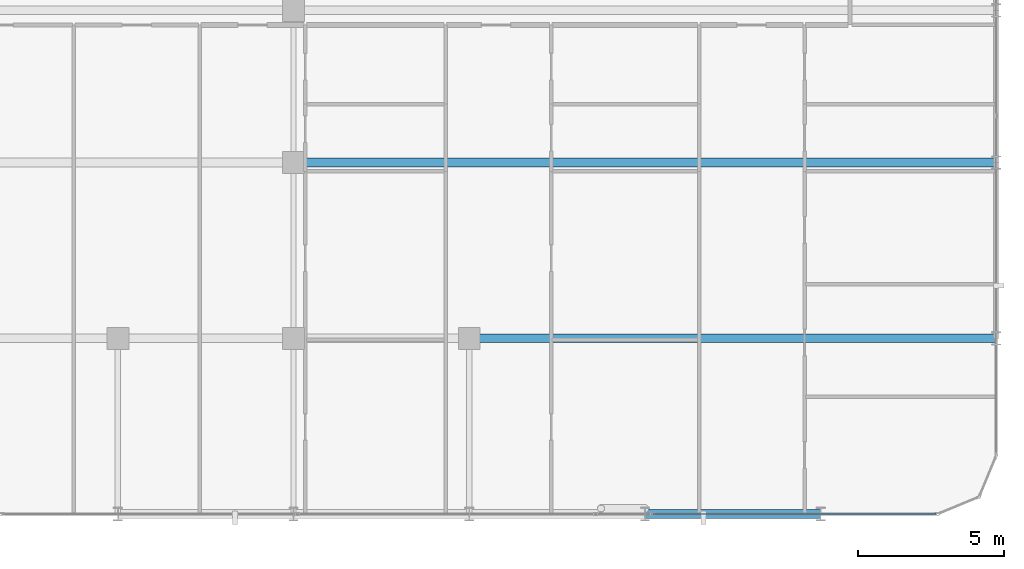
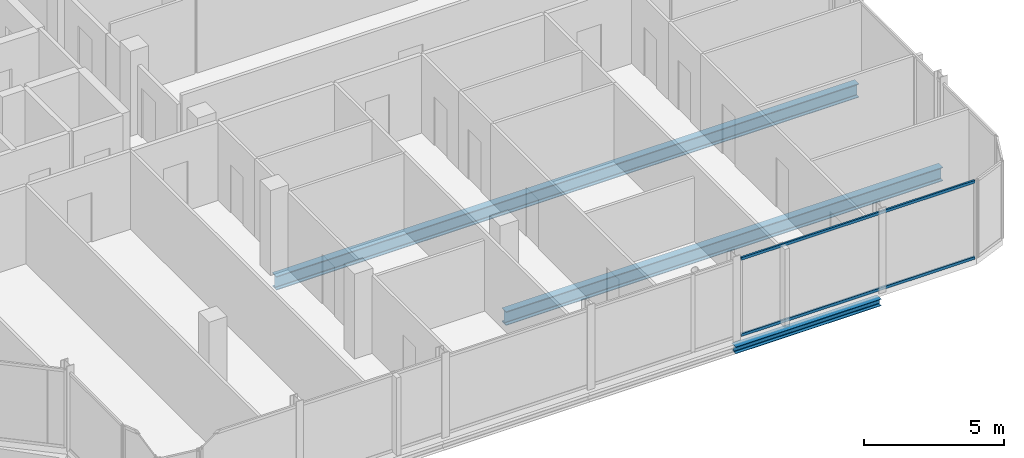
# One storey, part 11 of 29: 3 beams, 2 members, 1 element without a shape of its own.
"""IFC4 building model written with IfcOpenShell, lengths in metres."""

import ifcopenshell
import ifcopenshell.guid

model = None  # the IFC model being written
_history = None  # IfcOwnerHistory: only IFC2X3 demands one
_inside = {}  # id of a spatial element -> (the spatial element, [elements in it])
_under = {}  # id of a project, library or spatial element -> (it, [spatial elements below it])
_declared = {}  # id of a project -> (the project, [libraries it declares])
_typed = {}  # id of a type object -> (the type object, [elements of that type])
_made_of = {}  # id of a material, layer set ... -> (it, [elements and type objects made of it])


def new_model(schema):
    """Start an empty IFC model of exactly this schema.

    Asked for "IFC4X3", IfcOpenShell would pick the latest addendum, in which some entities
    have other attributes; the version numbers below select the first issue.
    IFC2X3 requires an IfcOwnerHistory on every rooted entity: one is made here for all.
    """
    global model, _history
    if schema == "IFC4X3":
        model = ifcopenshell.file(schema_version=(4, 3, 0, 0))
    else:
        model = ifcopenshell.file(schema=schema)
    _inside.clear()
    _under.clear()
    _declared.clear()
    _typed.clear()
    _made_of.clear()
    _history = None
    if model.schema == "IFC2X3":
        org = make("IfcOrganization", Name="unknown")
        user = make(
            "IfcPersonAndOrganization",
            ThePerson=make("IfcPerson", FamilyName="unknown"),
            TheOrganization=org,
        )
        app = make(
            "IfcApplication",
            ApplicationDeveloper=org,
            Version="unknown",
            ApplicationFullName="unknown",
            ApplicationIdentifier="unknown",
        )
        _history = make(
            "IfcOwnerHistory",
            OwningUser=user,
            OwningApplication=app,
            ChangeAction="ADDED",
            CreationDate=0,
        )
    return model


def make(cls, **values):
    """One entity of the class cls with the attributes given. An attribute that is None is left unset."""
    return model.create_entity(
        cls, **{name: value for name, value in values.items() if value is not None}
    )


def rooted(cls, **values):
    """An entity with a GlobalId (a new one), such as an element, a storey or a relation."""
    return make(cls, GlobalId=ifcopenshell.guid.new(), OwnerHistory=_history, **values)


def si_unit(unit_type, name, prefix=None):
    """IfcSIUnit, for example si_unit("LENGTHUNIT", "METRE", prefix="MILLI")."""
    return make("IfcSIUnit", UnitType=unit_type, Prefix=prefix, Name=name)


def assignment(units):
    """IfcUnitAssignment: the units of a project."""
    return None if units is None else make("IfcUnitAssignment", Units=units)


def point(xyz):
    """IfcCartesianPoint."""
    return None if xyz is None else make("IfcCartesianPoint", Coordinates=xyz)


def direction(xyz):
    """IfcDirection."""
    return None if xyz is None else make("IfcDirection", DirectionRatios=xyz)


def frame(location, z_axis=None, x_axis=None):
    """IfcAxis2Placement3D, a coordinate frame: its origin and axes. An axis left out is left unset."""
    return make(
        "IfcAxis2Placement3D",
        Location=point(location),
        Axis=direction(z_axis),
        RefDirection=direction(x_axis),
    )


def frame_2d(location, x_axis=None):
    """IfcAxis2Placement2D, a coordinate frame in the plane: its origin and x axis."""
    return make(
        "IfcAxis2Placement2D", Location=point(location), RefDirection=direction(x_axis)
    )


def origin():
    """The frame at (0, 0, 0) with its axes left unset."""
    return frame((0.0, 0.0, 0.0))


def origin_2d():
    """The frame at (0, 0) in the plane with its x axis left unset."""
    return frame_2d((0.0, 0.0))


def place(relative_to, where):
    """IfcLocalPlacement: puts the frame where relative to a parent placement (None: the world)."""
    return make(
        "IfcLocalPlacement", PlacementRelTo=relative_to, RelativePlacement=where
    )


def context(
    kind, dimensions, precision=None, world=None, true_north=None, identifier=None
):
    """IfcGeometricRepresentationContext, for example the 3D "Model" context."""
    return make(
        "IfcGeometricRepresentationContext",
        ContextIdentifier=identifier,
        ContextType=kind,
        CoordinateSpaceDimension=dimensions,
        Precision=precision,
        WorldCoordinateSystem=world,
        TrueNorth=true_north,
    )


def subcontext(parent, identifier, kind, view, scale=None):
    """IfcGeometricRepresentationSubContext, for example "Body" below "Model"."""
    return make(
        "IfcGeometricRepresentationSubContext",
        ContextIdentifier=identifier,
        ContextType=kind,
        ParentContext=parent,
        TargetScale=scale,
        TargetView=view,
    )


def project(units=None, contexts=None):
    """IfcProject with its units and contexts."""
    return rooted(
        "IfcProject",
        Name="project",
        RepresentationContexts=contexts,
        UnitsInContext=assignment(units),
    )


def spatial(cls, under=None, at=None, **own):
    """A site, building, storey or space (cls), placed at a placement, below another one or the project."""
    s = rooted(cls, ObjectPlacement=at, **own)
    if under is not None:
        _under.setdefault(under.id(), (under, []))[1].append(s)
    return s


def profile(cls, at=None, kind="AREA", **sizes):
    """A parametric profile (cls). Its sizes go by their IFC names, for example OverallWidth=200.0."""
    return make(cls, ProfileType=kind, Position=at, **sizes)


def hollow_rectangle(**sizes):
    """IfcRectangleHollowProfileDef."""
    return profile("IfcRectangleHollowProfileDef", **sizes)


def i_section(**sizes):
    """IfcIShapeProfileDef."""
    return profile("IfcIShapeProfileDef", **sizes)


def extrude(swept, where, along, depth):
    """IfcExtrudedAreaSolid: the profile swept, set in the frame where, extruded along a direction by depth."""
    return make(
        "IfcExtrudedAreaSolid",
        SweptArea=swept,
        Position=where,
        ExtrudedDirection=direction(along),
        Depth=depth,
    )


def shape(context_of_items, identifier, shape_type, items):
    """IfcShapeRepresentation: the items that make up one representation, for example the "Body"."""
    return make(
        "IfcShapeRepresentation",
        ContextOfItems=context_of_items,
        RepresentationIdentifier=identifier,
        RepresentationType=shape_type,
        Items=items,
    )


def material(Name=None, Category=None):
    """IfcMaterial."""
    return make("IfcMaterial", Name=Name, Category=Category)


def layer(
    of_material, thickness, ventilated=None, Name=None, Category=None, Priority=None
):
    """IfcMaterialLayer: one layer of a wall or slab, of a material (None: an air gap)."""
    return make(
        "IfcMaterialLayer",
        Material=of_material,
        LayerThickness=thickness,
        IsVentilated=ventilated,
        Name=Name,
        Category=Category,
        Priority=Priority,
    )


def layer_set(layers, Name=None):
    """IfcMaterialLayerSet."""
    return make("IfcMaterialLayerSet", MaterialLayers=layers, LayerSetName=Name)


def material_profile(
    of_material, cross_section, Name=None, Category=None, Priority=None
):
    """IfcMaterialProfile: a cross section and its material."""
    return make(
        "IfcMaterialProfile",
        Name=Name,
        Material=of_material,
        Profile=cross_section,
        Priority=Priority,
        Category=Category,
    )


def profile_set(profiles, Name=None, composite=None):
    """IfcMaterialProfileSet."""
    return make(
        "IfcMaterialProfileSet",
        Name=Name,
        MaterialProfiles=profiles,
        CompositeProfile=composite,
    )


def made_of(thing, what):
    """Note that an element or type object is made of a material, layer set ...; save() writes the relation."""
    if what is not None:
        _made_of.setdefault(what.id(), (what, []))[1].append(thing)
    return thing


def type_object(cls, material=None, **own):
    """A type object (cls), such as IfcWallType, which elements share."""
    return made_of(rooted(cls, **own), material)


def element(
    cls,
    number,
    at=None,
    inside=None,
    cuts=None,
    type_object=None,
    material=None,
    context=None,
    identifier="Body",
    shape_type=None,
    held_by="IfcProductDefinitionShape",
    body=None,
    shapes=None,
    **own,
):
    """One element of the class cls, such as IfcWall. Its Tag is "e" and its number.

    at: its placement. inside: the storey or other place that contains it. cuts: it is an
    opening in that element (IfcRelVoidsElement). A single representation is given by context,
    identifier, shape_type and body (its items); several are given by shapes. held_by: the class
    of the entity that holds the representations. save() writes the other relations.
    """
    e = rooted(cls, Tag="e%d" % number, ObjectPlacement=at, **own)
    if body is not None:
        shapes = [shape(context, identifier, shape_type, body)]
    if shapes is not None:
        e.Representation = make(held_by, Representations=shapes)
    if inside is not None:
        _inside.setdefault(inside.id(), (inside, []))[1].append(e)
    if cuts is not None:
        rooted(
            "IfcRelVoidsElement", RelatingBuildingElement=cuts, RelatedOpeningElement=e
        )
    if type_object is not None:
        _typed.setdefault(type_object.id(), (type_object, []))[1].append(e)
    return made_of(e, material)


def aggregate(whole, parts):
    """IfcRelAggregates: a whole, such as a stair, and the parts it consists of."""
    return rooted("IfcRelAggregates", RelatingObject=whole, RelatedObjects=parts)


def save(model, path):
    """Write the relations noted so far, then the file.

    IfcRelAggregates (storeys below a building ...), IfcRelContainedInSpatialStructure (elements
    in a storey), IfcRelDefinesByType, IfcRelAssociatesMaterial and IfcRelDeclares: one each for
    every whole, place, type object, material and project.
    """
    for whole, parts in _under.values():
        aggregate(whole, parts)
    for where, things in _inside.values():
        rooted(
            "IfcRelContainedInSpatialStructure",
            RelatedElements=things,
            RelatingStructure=where,
        )
    for kind, things in _typed.values():
        rooted("IfcRelDefinesByType", RelatedObjects=things, RelatingType=kind)
    for what, things in _made_of.values():
        rooted("IfcRelAssociatesMaterial", RelatedObjects=things, RelatingMaterial=what)
    for by, libraries in _declared.values():
        rooted("IfcRelDeclares", RelatingContext=by, RelatedDefinitions=libraries)
    model.write(path)


model = new_model("IFC4")

# Units and contexts
model_context = context("Model", 3, precision=1e-05, world=origin(), true_north=direction((0.0, 1.0)))
body_context = subcontext(model_context, "Body", "Model", "MODEL_VIEW")
ifc_project = project(units=[si_unit("LENGTHUNIT", "METRE"), si_unit("AREAUNIT", "SQUARE_METRE"), si_unit("VOLUMEUNIT", "CUBIC_METRE"), si_unit("PLANEANGLEUNIT", "RADIAN"), si_unit("MASSUNIT", "GRAM", prefix="KILO")], contexts=[model_context])

# Site, building, storey
site_placement = place(None, origin())
site = spatial("IfcSite", under=ifc_project, at=site_placement, CompositionType="ELEMENT")
building_placement = place(site_placement, origin())
building = spatial("IfcBuilding", under=site, at=building_placement, Name="Keshet Zoharim Tower", CompositionType="ELEMENT")
storey_placement = place(building_placement, frame((0.0, 0.0, 226.5)))
storey = spatial("IfcBuildingStorey", under=building, at=storey_placement, Name="L56", CompositionType="ELEMENT", Elevation=226.5)

# Beams
ifc_material_1 = material(Name="Steel S355", Category="steel")
ifc_material_profile_1 = material_profile(ifc_material_1, i_section(OverallWidth=0.300048828125, OverallDepth=0.60009765625, WebThickness=0.015380859375, FlangeThickness=0.030029296875, FilletRadius=0.027099609375, at=origin_2d()), Name="HEB600")
ifc_profile_set_1 = profile_set([ifc_material_profile_1], Name="Steel S355")
beam_type_1 = type_object("IfcBeamType", Name="BM-LNG-HB600", PredefinedType="BEAM", material=ifc_profile_set_1)
beam_1_placement = place(storey_placement, frame((39.0, 6.699951171875, -0.610107421875), z_axis=(1.0, 0.0, 0.0), x_axis=(0.0, 1.0, 0.0)))
element("IfcBeam", 1, at=beam_1_placement, inside=storey, type_object=beam_type_1, Name="L56 Primary Girder X-008", PredefinedType="BEAM", context=body_context, shape_type="SweptSolid", body=[
    extrude(i_section(OverallWidth=0.300048828125, OverallDepth=0.60009765625, WebThickness=0.015380859375, FlangeThickness=0.030029296875, FilletRadius=0.027099609375, at=origin_2d()), origin(), (0.0, 0.0, 1.0), 18.0),
])
beam_2_placement = place(storey_placement, frame((33.0, 12.699951171875, -0.610107421875), z_axis=(1.0, 0.0, 0.0), x_axis=(0.0, 1.0, 0.0)))
element("IfcBeam", 2, at=beam_2_placement, inside=storey, type_object=beam_type_1, Name="L56 Primary Girder X-010", PredefinedType="BEAM", context=body_context, shape_type="SweptSolid", body=[
    extrude(i_section(OverallWidth=0.300048828125, OverallDepth=0.60009765625, WebThickness=0.015380859375, FlangeThickness=0.030029296875, FilletRadius=0.027099609375, at=origin_2d()), origin(), (0.0, 0.0, 1.0), 24.0),
])
ifc_material_profile_2 = material_profile(ifc_material_1, i_section(OverallWidth=0.300048828125, OverallDepth=0.300048828125, WebThickness=0.010986328125, FlangeThickness=0.01904296875, FilletRadius=0.027099609375, at=origin_2d()), Name="HEB300")
ifc_profile_set_2 = profile_set([ifc_material_profile_2], Name="Steel S355")
beam_type_2 = type_object("IfcBeamType", Name="BM-PRI-HB300", PredefinedType="BEAM", material=ifc_profile_set_2)
beam_3_placement = place(storey_placement, frame((45.0, 0.699951171875, -0.4599609375), z_axis=(1.0, 0.0, 0.0), x_axis=(0.0, 1.0, 0.0)))
element("IfcBeam", 3, at=beam_3_placement, inside=storey, type_object=beam_type_2, Name="L56 Primary Girder X-004", PredefinedType="BEAM", context=body_context, shape_type="SweptSolid", body=[
    extrude(i_section(OverallWidth=0.300048828125, OverallDepth=0.300048828125, WebThickness=0.010986328125, FlangeThickness=0.01904296875, FilletRadius=0.027099609375, at=origin_2d()), origin(), (0.0, 0.0, 1.0), 6.0),
])

# Curtain wall, members
ifc_material_2 = material(Name="Aluminium 6063-T6", Category="aluminium")
ifc_layer = layer(ifc_material_2, 0.139892578125)
ifc_layer_set = layer_set([ifc_layer], Name="Aluminium 6063-T6")
curtain_wall_type = type_object("IfcCurtainWallType", Name="CW-SYS-05", PredefinedType="NOTDEFINED", material=ifc_layer_set)
curtain_wall_placement = place(storey_placement, origin())
curtain_wall = element("IfcCurtainWall", 4, at=curtain_wall_placement, inside=storey, type_object=curtain_wall_type, Name="L56 Unitised Curtain Wall 06", PredefinedType="NOTDEFINED")
ifc_material_profile_3 = material_profile(ifc_material_2, hollow_rectangle(XDim=0.074951171875, YDim=0.1201171875, WallThickness=0.00390625, at=origin_2d()), Name="TRN-75x120")
ifc_profile_set_3 = profile_set([ifc_material_profile_3], Name="Aluminium 6063-T6")
member_type = type_object("IfcMemberType", Name="CWT-T12", PredefinedType="USERDEFINED", material=ifc_profile_set_3)
member_1_placement = place(storey_placement, frame((54.929931640625, 0.699951171875, 0.034912109375), z_axis=(-1.0, 0.0, 0.0), x_axis=(0.0, -1.0, 0.0)))
member_1 = element("IfcMember", 5, at=member_1_placement, type_object=member_type, Name="CW-05 transom 1.1", ObjectType="TRANSOM", PredefinedType="USERDEFINED", context=body_context, shape_type="SweptSolid", body=[
    extrude(hollow_rectangle(XDim=0.074951171875, YDim=0.1201171875, WallThickness=0.00390625, at=origin_2d()), origin(), (0.0, 0.0, 1.0), 9.635009765625),
])
member_2_placement = place(storey_placement, frame((54.929931640625, 0.699951171875, 3.35498046875), z_axis=(-1.0, 0.0, 0.0), x_axis=(0.0, -1.0, 0.0)))
member_2 = element("IfcMember", 6, at=member_2_placement, type_object=member_type, Name="CW-05 transom 1.2", ObjectType="TRANSOM", PredefinedType="USERDEFINED", context=body_context, shape_type="SweptSolid", body=[
    extrude(hollow_rectangle(XDim=0.074951171875, YDim=0.1201171875, WallThickness=0.00390625, at=origin_2d()), origin(), (0.0, 0.0, 1.0), 9.635009765625),
])
aggregate(curtain_wall, [member_1, member_2])

save(model, "model.ifc")
